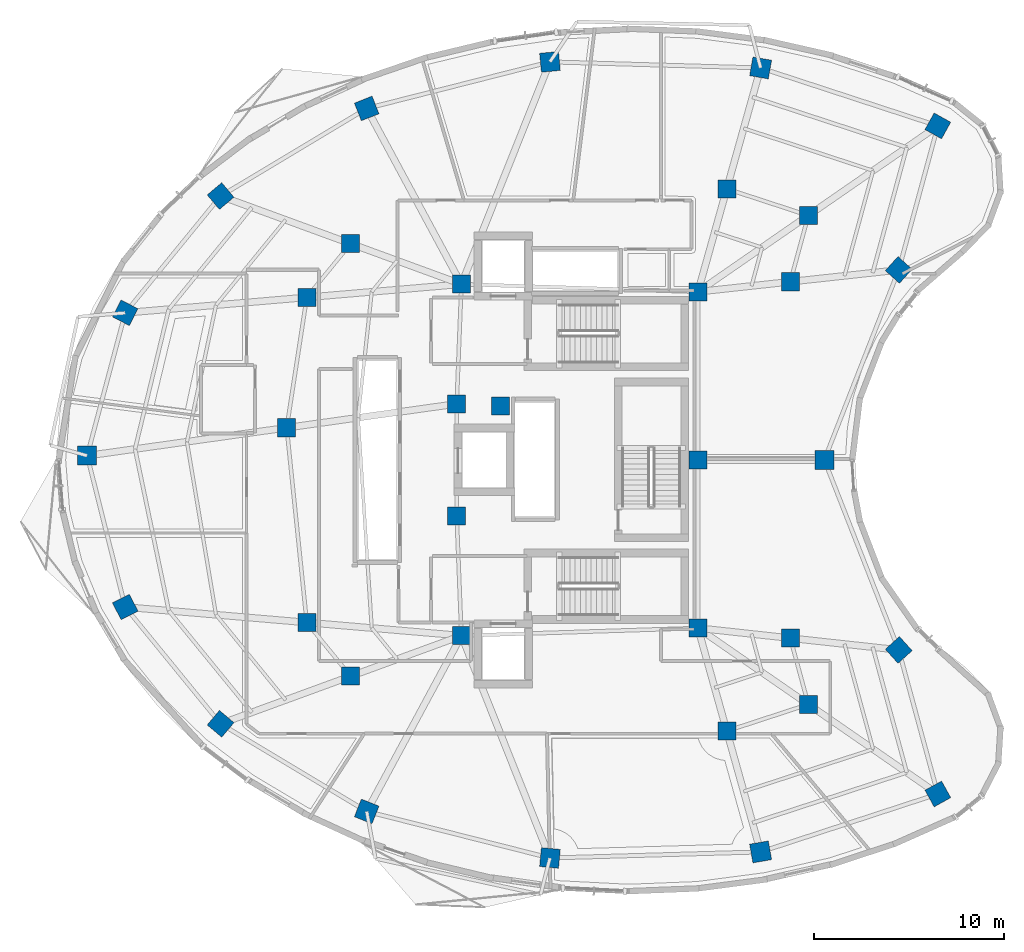
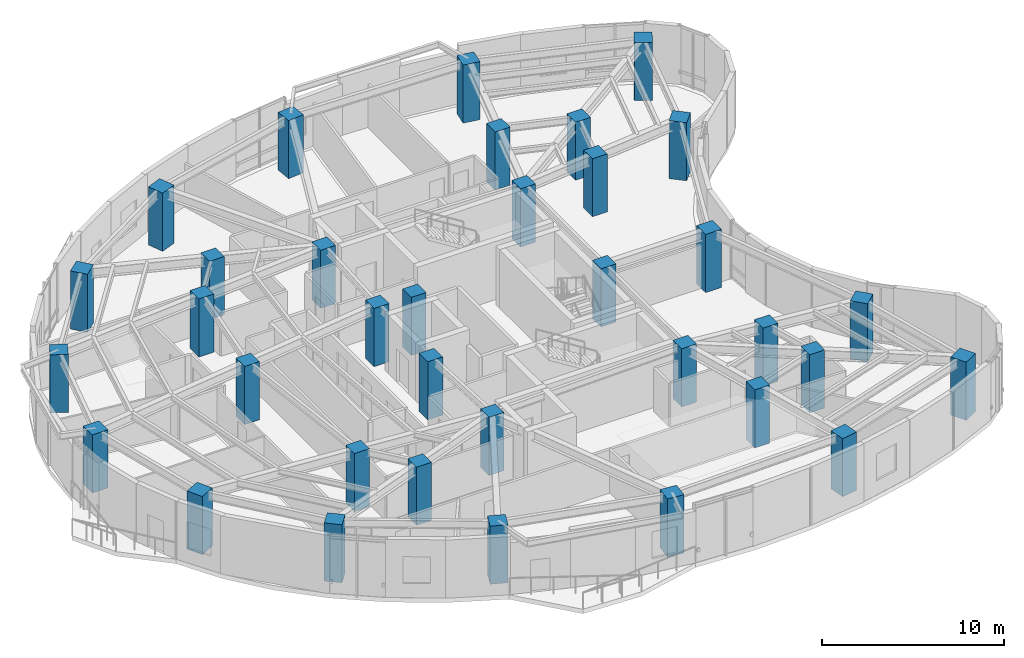
# One storey, part 1 of 15: 35 columns.
"""IFC4 building model written with IfcOpenShell, lengths in metres."""

from ifc_helpers import new_model, si_unit, direction, frame, origin, origin_2d, place, context, subcontext, project, spatial, rectangle, extrude, material, material_profile, profile_set, type_object, element, save


model = new_model("IFC4")

# Units and contexts
model_context = context("Model", 3, precision=1e-05, world=origin(), true_north=direction((0.0, 1.0)))
body_context = subcontext(model_context, "Body", "Model", "MODEL_VIEW")
ifc_project = project(units=[si_unit("LENGTHUNIT", "METRE"), si_unit("AREAUNIT", "SQUARE_METRE"), si_unit("VOLUMEUNIT", "CUBIC_METRE"), si_unit("PLANEANGLEUNIT", "RADIAN"), si_unit("MASSUNIT", "GRAM", prefix="KILO")], contexts=[model_context])

# Site, building, storey
site_placement = place(None, origin())
site = spatial("IfcSite", under=ifc_project, at=site_placement, CompositionType="ELEMENT")
building_placement = place(site_placement, origin())
building = spatial("IfcBuilding", under=site, at=building_placement, Name="Korentha Bioscience Tower", CompositionType="ELEMENT")
storey_placement = place(building_placement, frame((0.0, 0.0, 226.800048828125)))
storey = spatial("IfcBuildingStorey", under=building, at=storey_placement, Name="L52", CompositionType="ELEMENT", Elevation=226.800048828125)

# Columns
ifc_material = material(Name="Concrete C65", Category="concrete")
ifc_material_profile_1 = material_profile(ifc_material, rectangle(XDim=0.949951171875, YDim=0.949951171875, at=origin_2d()), Name="Concrete C65")
ifc_profile_set_1 = profile_set([ifc_material_profile_1], Name="Concrete C65 (COL-CP09)")
column_type_1 = type_object("IfcColumnType", Name="Core Pilaster Column RC 950x950", PredefinedType="PILASTER", material=ifc_profile_set_1)
for number, where, z_axis, x_axis, name in (
    (1, (37.550048828125, 35.85009765625, -0.00048828125), (0.0, 0.0, 1.0), (1.0, 0.0, 0.0), "L52 Core Pilaster CP-01"),
    (2, (25.10009765625, 36.25, -0.00048828125), (0.0, 0.0, 1.0), (1.0, 0.0, 0.0), "L52 Core Pilaster CP-02"),
    (3, (24.85009765625, 29.949951171875, -0.00048828125), (0.0, 0.0, 1.0), (1.0, 0.0, 0.0), "L52 Core Pilaster CP-03"),
    (4, (27.14990234375, 29.85009765625, -0.00048828125), (0.0, 0.0, 1.0), (1.0, 0.0, 0.0), "L52 Core Pilaster CP-04"),
    (5, (24.85009765625, 24.050048828125, -0.00048828125), (0.0, 0.0, 1.0), (1.0, 0.0, 0.0), "L52 Core Pilaster CP-05"),
    (6, (25.10009765625, 17.75, -0.00048828125), (0.0, 0.0, 1.0), (1.0, 0.0, 0.0), "L52 Core Pilaster CP-06"),
    (7, (37.550048828125, 18.14990234375, -0.00048828125), (0.0, 0.0, 1.0), (1.0, 0.0, 0.0), "L52 Core Pilaster CP-07"),
    (8, (37.550048828125, 27.0, -0.00048828125), (0.0, 0.0, 1.0), (1.0, 0.0, 0.0), "L52 Core Pilaster CP-08"),
):
    element("IfcColumn", number, at=place(storey_placement, frame(where, z_axis=z_axis, x_axis=x_axis)), inside=storey, type_object=column_type_1, Name=name, PredefinedType="PILASTER", context=body_context, shape_type="SweptSolid", body=[
        extrude(rectangle(XDim=0.949951171875, YDim=0.949951171875, at=origin_2d()), origin(), (0.0, 0.0, 1.0), 3.90087890625),
    ])
ifc_material_profile_2 = material_profile(ifc_material, rectangle(XDim=0.949951171875, YDim=0.949951171875, at=origin_2d()), Name="Concrete C65")
ifc_profile_set_2 = profile_set([ifc_material_profile_2], Name="Concrete C65 (COL-MR09)")
column_type_2 = type_object("IfcColumnType", Name="Mid-Ring Lab Column RC 950x950", PredefinedType="COLUMN", material=ifc_profile_set_2)
for number, where, z_axis, x_axis, name in (
    (9, (43.357666015625, 39.8662109375, -0.00048828125), (0.0, 0.0, 1.0), (1.0, 0.0, 0.0), "L52 Mid-Ring Column 01"),
    (10, (39.066650390625, 41.269775390625, -0.00048828125), (0.0, 0.0, 1.0), (1.0, 0.0, 0.0), "L52 Mid-Ring Column 02"),
    (11, (19.268310546875, 38.3837890625, -0.00048828125), (0.0, 0.0, 1.0), (1.0, 0.0, 0.0), "L52 Mid-Ring Column 05"),
    (12, (16.96044921875, 35.555908203125, -0.00048828125), (0.0, 0.0, 1.0), (1.0, 0.0, 0.0), "L52 Mid-Ring Column 06"),
    (13, (15.903076171875, 28.69482421875, -0.00048828125), (0.0, 0.0, 1.0), (1.0, 0.0, 0.0), "L52 Mid-Ring Column 07"),
    (14, (16.96044921875, 18.444091796875, -0.00048828125), (0.0, 0.0, 1.0), (1.0, 0.0, 0.0), "L52 Mid-Ring Column 08"),
    (15, (19.268310546875, 15.6162109375, -0.00048828125), (0.0, 0.0, 1.0), (1.0, 0.0, 0.0), "L52 Mid-Ring Column 09"),
    (16, (39.066650390625, 12.730224609375, -0.00048828125), (0.0, 0.0, 1.0), (1.0, 0.0, 0.0), "L52 Mid-Ring Column 12"),
    (17, (43.357666015625, 14.1337890625, -0.00048828125), (0.0, 0.0, 1.0), (1.0, 0.0, 0.0), "L52 Mid-Ring Column 13"),
    (18, (42.41064453125, 17.620361328125, -0.00048828125), (0.0, 0.0, 1.0), (1.0, 0.0, 0.0), "L52 Mid-Ring Column 14"),
    (19, (42.41064453125, 36.379638671875, -0.00048828125), (0.0, 0.0, 1.0), (1.0, 0.0, 0.0), "L52 Mid-Ring Column 16"),
):
    element("IfcColumn", number, at=place(storey_placement, frame(where, z_axis=z_axis, x_axis=x_axis)), inside=storey, type_object=column_type_2, Name=name, PredefinedType="COLUMN", context=body_context, shape_type="SweptSolid", body=[
        extrude(rectangle(XDim=0.949951171875, YDim=0.949951171875, at=origin_2d()), origin(), (0.0, 0.0, 1.0), 3.90087890625),
    ])
ifc_material_profile_3 = material_profile(ifc_material, rectangle(XDim=1.0, YDim=1.0, at=origin_2d()), Name="Concrete C65")
ifc_profile_set_3 = profile_set([ifc_material_profile_3], Name="Concrete C65 (COL-P10)")
column_type_3 = type_object("IfcColumnType", Name="Perimeter Column RC 1000x1000", PredefinedType="COLUMN", material=ifc_profile_set_3)
for number, where, z_axis, x_axis, name in (
    (20, (50.175537109375, 44.580810546875, -0.00048828125), (0.0, 0.0, 1.0), (-0.874535078577, 0.484962262797, 0.0), "L52 Perimeter Column 01"),
    (21, (40.846923828125, 47.632080078125, -0.00048828125), (0.0, 0.0, 1.0), (-0.984868307662, 0.173304404339, 0.0), "L52 Perimeter Column 02"),
    (22, (29.75927734375, 47.951171875, -0.00048828125), (0.0, 0.0, 1.0), (0.995462868748, 0.095150811579, 0.0), "L52 Perimeter Column 03"),
    (23, (20.11328125, 45.5, -0.00048828125), (0.0, 0.0, 1.0), (0.930225540858, 0.366988341962, 0.0), "L52 Perimeter Column 04"),
    (24, (12.422607421875, 40.888671875, -0.00048828125), (0.0, 0.0, 1.0), (0.764246456939, 0.644924300253, 0.0), "L52 Perimeter Column 05"),
    (25, (7.4052734375, 34.741455078125, -0.00048828125), (0.0, 0.0, 1.0), (0.453057191132, 0.891481453292, 0.0), "L52 Perimeter Column 06"),
    (26, (5.39990234375, 27.2216796875, -0.00048828125), (0.0, 0.0, 1.0), (0.0, 1.0, 0.0), "L52 Perimeter Column 07"),
    (27, (7.4052734375, 19.258544921875, -0.00048828125), (0.0, 0.0, 1.0), (-0.453057191132, 0.891481453292, 0.0), "L52 Perimeter Column 08"),
    (28, (12.422607421875, 13.111328125, -0.00048828125), (0.0, 0.0, 1.0), (-0.764246456939, 0.644924300253, 0.0), "L52 Perimeter Column 09"),
    (29, (20.11328125, 8.5, -0.00048828125), (0.0, 0.0, 1.0), (-0.930225540858, 0.366988341962, 0.0), "L52 Perimeter Column 10"),
    (30, (29.75927734375, 6.048828125, -0.00048828125), (0.0, 0.0, 1.0), (-0.995462868748, 0.095150811579, 0.0), "L52 Perimeter Column 11"),
    (31, (40.846923828125, 6.367919921875, -0.00048828125), (0.0, 0.0, 1.0), (0.984868307662, 0.173304404339, 0.0), "L52 Perimeter Column 12"),
    (32, (50.175537109375, 9.419189453125, -0.00048828125), (0.0, 0.0, 1.0), (0.874535078577, 0.484962262797, 0.0), "L52 Perimeter Column 13"),
    (33, (48.116455078125, 16.998779296875, -0.00048828125), (0.0, 0.0, 1.0), (-0.669130606359, 0.743144825477, 0.0), "L52 Perimeter Column 14"),
    (34, (44.201904296875, 27.0, -0.00048828125), (0.0, 0.0, 1.0), (0.0, 1.0, 0.0), "L52 Perimeter Column 15"),
    (35, (48.116455078125, 37.001220703125, -0.00048828125), (0.0, 0.0, 1.0), (0.669130606359, 0.743144825477, 0.0), "L52 Perimeter Column 16"),
):
    element("IfcColumn", number, at=place(storey_placement, frame(where, z_axis=z_axis, x_axis=x_axis)), inside=storey, type_object=column_type_3, Name=name, PredefinedType="COLUMN", context=body_context, shape_type="SweptSolid", body=[
        extrude(rectangle(XDim=1.0, YDim=1.0, at=origin_2d()), origin(), (0.0, 0.0, 1.0), 3.90087890625),
    ])

save(model, "model.ifc")
